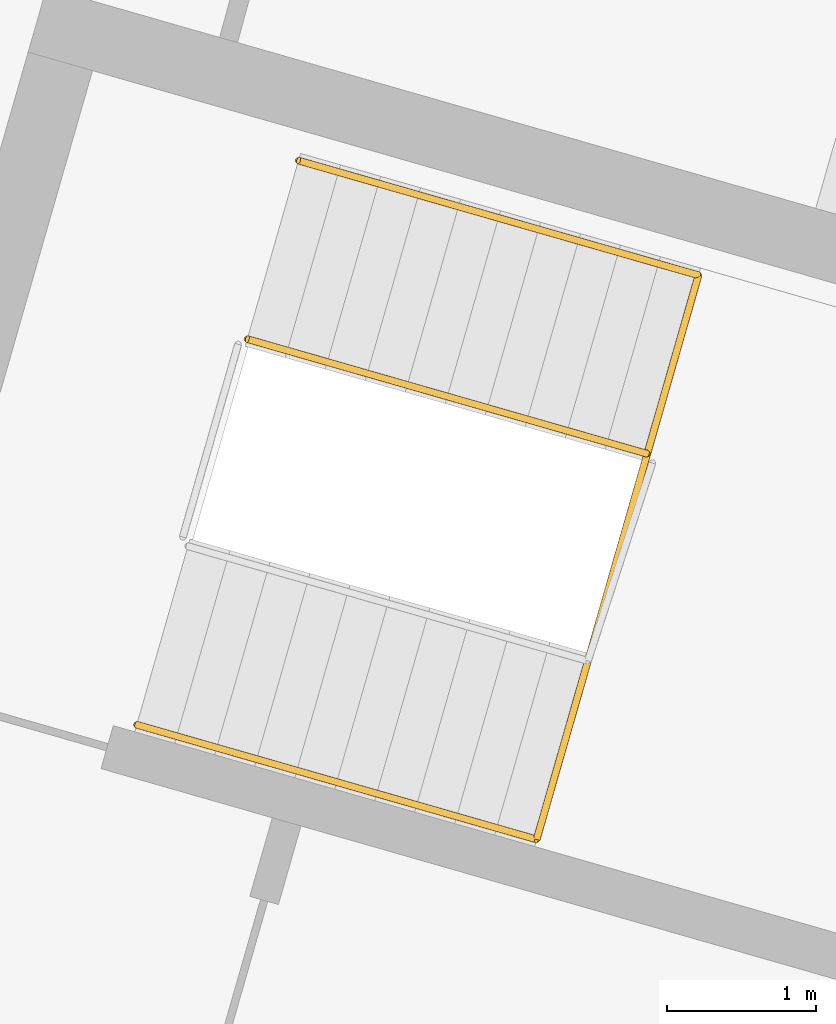
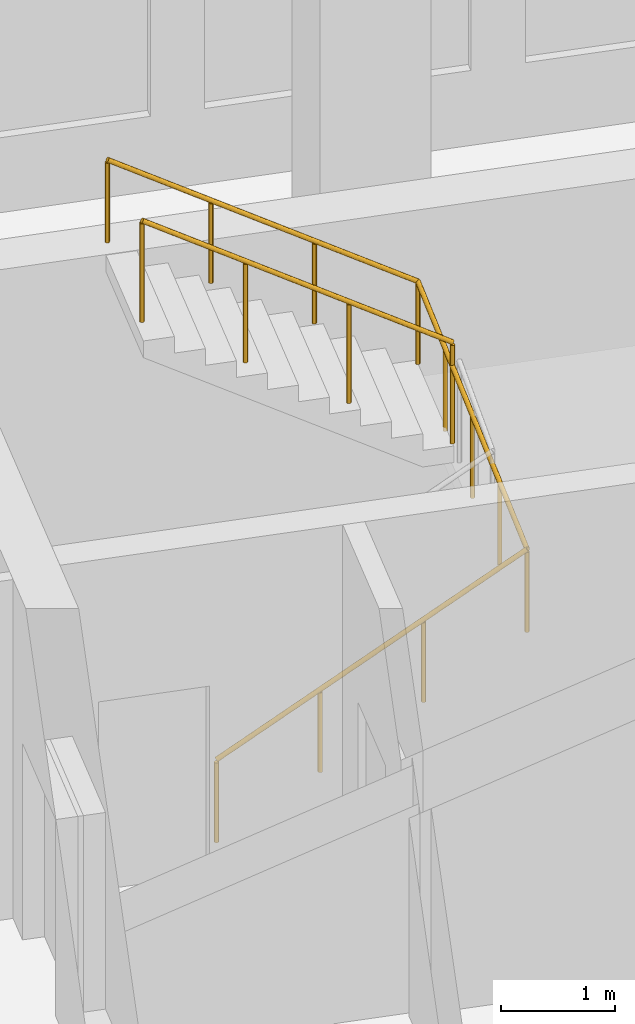
# One storey, part 11 of 12: 2 railings.
"""IFC4 building model written with IfcOpenShell, lengths in metres."""

from ifc_helpers import new_model, si_unit, direction, frame, origin, origin_2d, place, context, subcontext, project, spatial, circle, extrude, material, type_object, element, save


model = new_model("IFC4")

# Units and contexts
model_context = context("Model", 3, precision=1e-05, world=origin(), true_north=direction((0.0, 1.0)))
body_context = subcontext(model_context, "Body", "Model", "MODEL_VIEW")
ifc_project = project(units=[si_unit("LENGTHUNIT", "METRE"), si_unit("AREAUNIT", "SQUARE_METRE"), si_unit("VOLUMEUNIT", "CUBIC_METRE"), si_unit("PLANEANGLEUNIT", "RADIAN"), si_unit("MASSUNIT", "GRAM", prefix="KILO")], contexts=[model_context])

# Site, building, storey
site_placement = place(None, origin())
site = spatial("IfcSite", under=ifc_project, at=site_placement, CompositionType="ELEMENT")
building_placement = place(site_placement, origin())
building = spatial("IfcBuilding", under=site, at=building_placement, Name="Binnacle Exchange Tower", CompositionType="ELEMENT")
storey_placement = place(building_placement, frame((0.0, 0.0, 242.60009765625)))
storey = spatial("IfcBuildingStorey", under=building, at=storey_placement, Name="L53", CompositionType="ELEMENT", Elevation=242.60009765625)

# Railings
ifc_material_1 = material(Name="Steel guard rail", Category="steel")
railing_type_1 = type_object("IfcRailingType", Name="STAIR GUARD 1100", PredefinedType="GUARDRAIL", material=ifc_material_1)
railing_1_placement = place(storey_placement, frame((24.177734375, 57.332275390625, 2.127197265625)))
element("IfcRailing", 1, at=railing_1_placement, inside=storey, type_object=railing_type_1, Name="L53 STD1 stair guard 2", PredefinedType="GUARDRAIL", context=body_context, shape_type="SweptSolid", body=[
    extrude(circle(Radius=0.02392578125, at=origin_2d()), frame((0.0, 0.0, 1.076171875), z_axis=(-0.81215085225, 0.232948203448, 0.534926282491), x_axis=(-0.275711388614, -0.96124046429, 0.0)), (0.0, 0.0, 1.0), 3.31396484375),
    extrude(circle(Radius=0.02099609375, at=origin_2d()), origin(), (0.0, 0.0, 1.0), 1.052001953125),
    extrude(circle(Radius=0.02099609375, at=origin_2d()), frame((-0.897216796875, 0.25732421875, 0.5908203125)), (0.0, 0.0, 1.0), 1.052001953125),
    extrude(circle(Radius=0.02099609375, at=origin_2d()), frame((-1.794189453125, 0.5146484375, 1.181884765625)), (0.0, 0.0, 1.0), 1.052001953125),
    extrude(circle(Radius=0.02099609375, at=origin_2d()), frame((-2.69140625, 0.77197265625, 1.772705078125)), (0.0, 0.0, 1.0), 1.052001953125),
])
ifc_material_2 = material(Name="Steel handrail", Category="steel")
railing_type_2 = type_object("IfcRailingType", Name="STAIR HANDRAIL 900", PredefinedType="HANDRAIL", material=ifc_material_2)
railing_2_placement = place(storey_placement, frame((20.7421875, 55.5087890625, 0.17724609375)))
element("IfcRailing", 2, at=railing_2_placement, inside=storey, type_object=railing_type_2, Name="L53 STD1 stair handrail 1", PredefinedType="HANDRAIL", context=body_context, shape_type="SweptSolid", body=[
    extrude(circle(Radius=0.02392578125, at=origin_2d()), frame((0.0, 0.0, 0.8759765625), z_axis=(0.812164788183, -0.232878528252, 0.534935461448), x_axis=(0.275630818758, 0.961263570386, 0.0)), (0.0, 0.0, 1.0), 3.31396484375),
    extrude(circle(Radius=0.02392578125, at=origin_2d()), frame((2.69140625, -0.771728515625, 2.6484375), z_axis=(0.275390828663, 0.960286584611, 0.044828193186), x_axis=(-0.961252921364, 0.275667954558, 0.0)), (0.0, 0.0, 1.0), 3.953857421875),
    extrude(circle(Radius=0.02392578125, at=origin_2d()), frame((3.7802734375, 3.025146484375, 2.82568359375), z_axis=(-0.812189863168, 0.232864594782, 0.534903455461), x_axis=(-0.27560771734, -0.96127019414, 0.0)), (0.0, 0.0, 1.0), 3.31396484375),
    extrude(circle(Radius=0.02099609375, at=origin_2d()), origin(), (0.0, 0.0, 1.0), 0.851806640625),
    extrude(circle(Radius=0.02099609375, at=origin_2d()), frame((0.897216796875, -0.25732421875, 0.5908203125)), (0.0, 0.0, 1.0), 0.851806640625),
    extrude(circle(Radius=0.02099609375, at=origin_2d()), frame((1.794189453125, -0.514404296875, 1.181884765625)), (0.0, 0.0, 1.0), 0.851806640625),
    extrude(circle(Radius=0.02099609375, at=origin_2d()), frame((2.69140625, -0.771728515625, 1.772705078125)), (0.0, 0.0, 1.0), 0.851806640625),
    extrude(circle(Radius=0.02099609375, at=origin_2d()), frame((2.963623046875, 0.177490234375, 1.81689453125)), (0.0, 0.0, 1.0), 0.851806640625),
    extrude(circle(Radius=0.02099609375, at=origin_2d()), frame((3.23583984375, 1.126708984375, 1.861328125)), (0.0, 0.0, 1.0), 0.851806640625),
    extrude(circle(Radius=0.02099609375, at=origin_2d()), frame((3.508056640625, 2.075927734375, 1.90576171875)), (0.0, 0.0, 1.0), 0.851806640625),
    extrude(circle(Radius=0.02099609375, at=origin_2d()), frame((3.7802734375, 3.025146484375, 1.949951171875)), (0.0, 0.0, 1.0), 0.851806640625),
    extrude(circle(Radius=0.02099609375, at=origin_2d()), frame((2.883056640625, 3.282470703125, 2.540771484375)), (0.0, 0.0, 1.0), 0.851806640625),
    extrude(circle(Radius=0.02099609375, at=origin_2d()), frame((1.98583984375, 3.53955078125, 3.1318359375)), (0.0, 0.0, 1.0), 0.851806640625),
    extrude(circle(Radius=0.02099609375, at=origin_2d()), frame((1.088623046875, 3.796875, 3.72265625)), (0.0, 0.0, 1.0), 0.851806640625),
])

save(model, "model.ifc")
